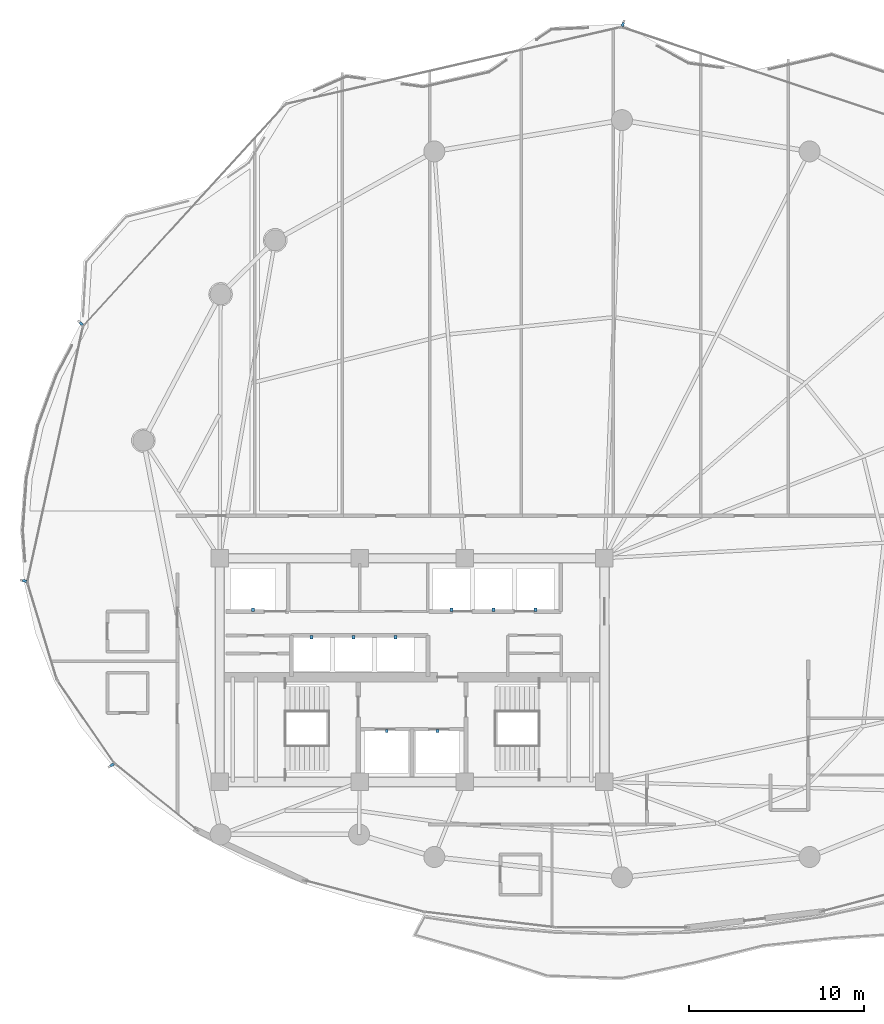
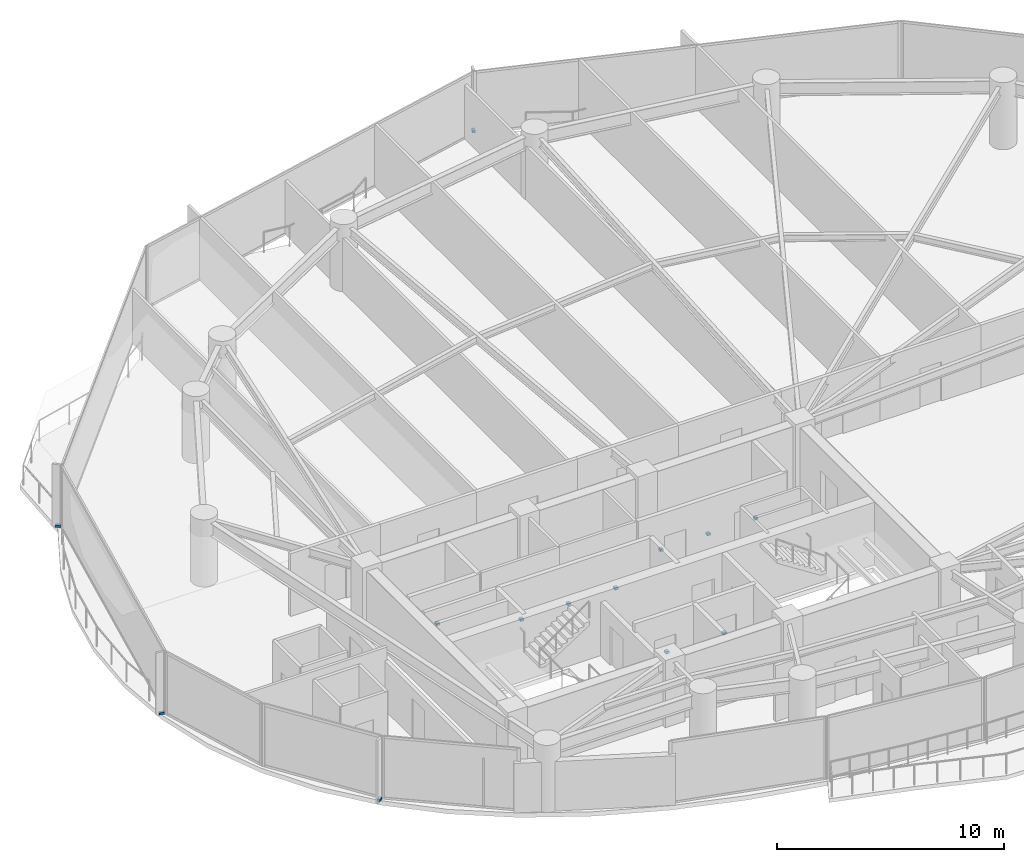
# One storey, part 29 of 34: 13 discrete accessories.
"""IFC4 building model written with IfcOpenShell, lengths in metres."""

from ifc_helpers import new_model, si_unit, direction, frame, origin, origin_2d, place, context, subcontext, project, spatial, rectangle, extrude, material, type_object, element, save


model = new_model("IFC4")

# Units and contexts
model_context = context("Model", 3, precision=1e-05, world=origin(), true_north=direction((0.0, 1.0)))
body_context = subcontext(model_context, "Body", "Model", "MODEL_VIEW")
ifc_project = project(units=[si_unit("LENGTHUNIT", "METRE"), si_unit("AREAUNIT", "SQUARE_METRE"), si_unit("VOLUMEUNIT", "CUBIC_METRE"), si_unit("PLANEANGLEUNIT", "RADIAN"), si_unit("MASSUNIT", "GRAM", prefix="KILO")], contexts=[model_context])

# Site, building, storey
site_placement = place(None, origin())
site = spatial("IfcSite", under=ifc_project, at=site_placement, CompositionType="ELEMENT")
building_placement = place(site_placement, origin())
building = spatial("IfcBuilding", under=site, at=building_placement, Name="Kazevale Care Tower and Concert Hall", CompositionType="ELEMENT")
storey_placement = place(building_placement, frame((0.0, 0.0, 156.60009765625)))
storey = spatial("IfcBuildingStorey", under=building, at=storey_placement, Name="L41", CompositionType="ELEMENT", Elevation=156.60009765625)

# Discrete accessories
ifc_material = material(Name="Stainless Steel 316", Category="steel")
discrete_accessory_type_1 = type_object("IfcDiscreteAccessoryType", Name="Facade Fin Stainless Anchor Bracket BRK-1", PredefinedType="BRACKET", material=ifc_material)
for number, where, z_axis, x_axis, name in (
    (1, (15.84130859375, 24.574462890625, -0.000244140625), (0.0, 0.0, 1.0), (-0.823334533242, -0.567556381667, 0.0), "cw:L41:f11:brk"),
    (2, (10.83740234375, 35.099365234375, -0.000244140625), (0.0, 0.0, 1.0), (-0.97708274037, 0.212859856409, 0.0), "cw:L41:f13:brk"),
    (3, (14.08544921875, 49.80908203125, -0.000244140625), (0.0, 0.0, 1.0), (-0.738455340626, 0.674302387584, 0.0), "cw:L41:f14:brk"),
    (4, (45.049560546875, 66.916748046875, -0.000244140625), (0.0, 0.0, 1.0), (0.314820866332, 0.949151106053, 0.0), "cw:L41:f16:brk"),
):
    element("IfcDiscreteAccessory", number, at=place(storey_placement, frame(where, z_axis=z_axis, x_axis=x_axis)), inside=storey, type_object=discrete_accessory_type_1, Name=name, PredefinedType="BRACKET", context=body_context, shape_type="SweptSolid", body=[
        extrude(rectangle(XDim=0.239990234375, YDim=0.139892578125, at=origin_2d()), origin(), (0.0, 0.0, 1.0), 0.1201171875),
    ])
discrete_accessory_type_2 = type_object("IfcDiscreteAccessoryType", Name="Hoistway Guide-Rail Wall Bracket HBRK-1", PredefinedType="BRACKET", material=ifc_material)
for number, where, z_axis, x_axis, name in (
    (5, (31.550048828125, 26.52001953125, 1.23974609375), (0.0, 0.0, 1.0), (1.0, 0.0, 0.0), "hbrk:FFL-1:L41"),
    (6, (34.449951171875, 26.52001953125, 1.23974609375), (0.0, 0.0, 1.0), (1.0, 0.0, 0.0), "hbrk:FFL-2:L41"),
    (7, (23.89990234375, 33.449951171875, 1.23974609375), (0.0, 0.0, 1.0), (1.0, 0.0, 0.0), "hbrk:SVL-1:L41"),
    (8, (35.25, 33.449951171875, 1.23974609375), (0.0, 0.0, 1.0), (1.0, 0.0, 0.0), "hbrk:PM-1:L41"),
    (9, (37.64990234375, 33.449951171875, 1.23974609375), (0.0, 0.0, 1.0), (1.0, 0.0, 0.0), "hbrk:PM-2:L41"),
    (10, (40.050048828125, 33.449951171875, 1.23974609375), (0.0, 0.0, 1.0), (1.0, 0.0, 0.0), "hbrk:PM-3:L41"),
    (11, (27.25, 31.8798828125, 1.23974609375), (0.0, 0.0, 1.0), (1.0, 0.0, 0.0), "hbrk:PH-1:L41"),
    (12, (29.64990234375, 31.8798828125, 1.23974609375), (0.0, 0.0, 1.0), (1.0, 0.0, 0.0), "hbrk:PH-2:L41"),
    (13, (32.050048828125, 31.8798828125, 1.23974609375), (0.0, 0.0, 1.0), (1.0, 0.0, 0.0), "hbrk:PH-3:L41"),
):
    element("IfcDiscreteAccessory", number, at=place(storey_placement, frame(where, z_axis=z_axis, x_axis=x_axis)), inside=storey, type_object=discrete_accessory_type_2, Name=name, PredefinedType="BRACKET", context=body_context, shape_type="SweptSolid", body=[
        extrude(rectangle(XDim=0.159912109375, YDim=0.179931640625, at=origin_2d()), origin(), (0.0, 0.0, 1.0), 0.1201171875),
    ])

save(model, "model.ifc")
